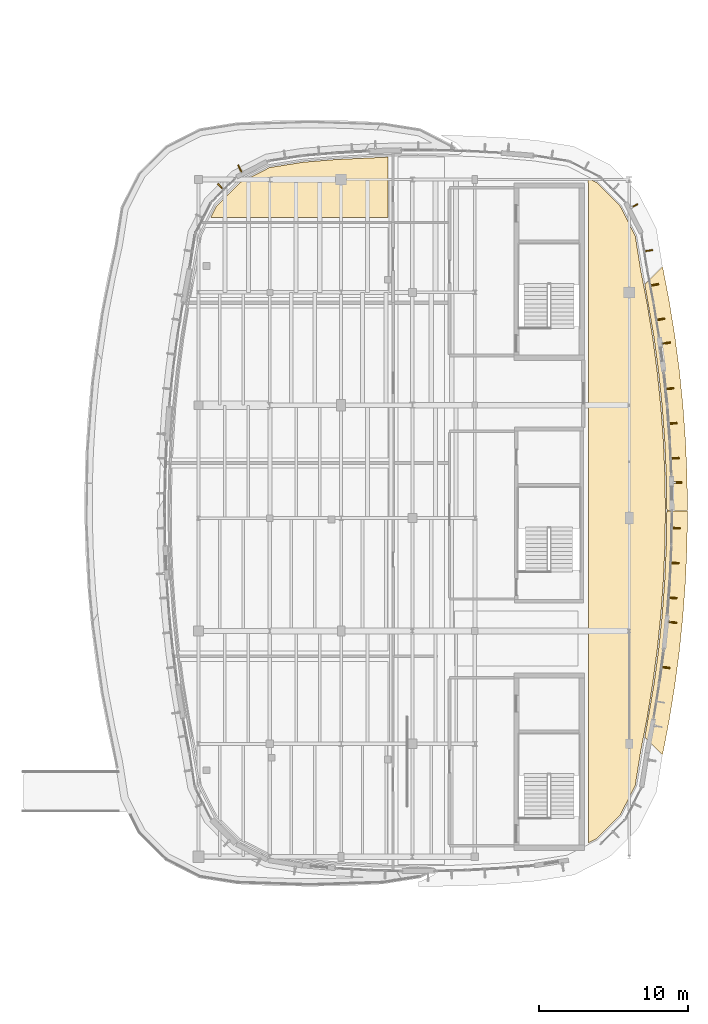
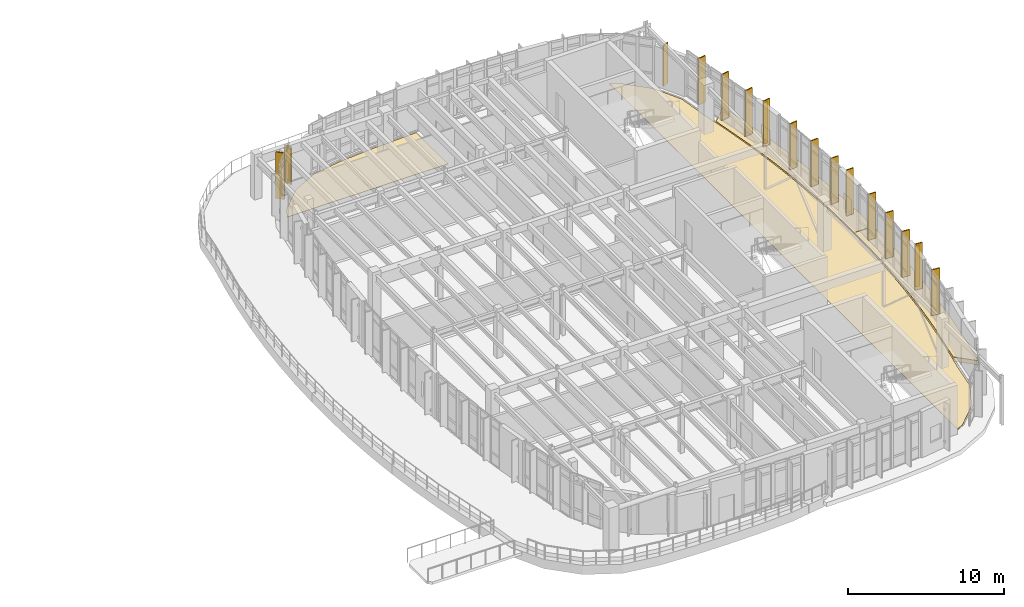
# One storey, part 104 of 105: 20 coverings, 5 shading devices.
"""IFC4 building model written with IfcOpenShell, lengths in metres."""

import ifcopenshell
import ifcopenshell.guid

model = None  # the IFC model being written
_history = None  # IfcOwnerHistory: only IFC2X3 demands one
_inside = {}  # id of a spatial element -> (the spatial element, [elements in it])
_under = {}  # id of a project, library or spatial element -> (it, [spatial elements below it])
_declared = {}  # id of a project -> (the project, [libraries it declares])
_typed = {}  # id of a type object -> (the type object, [elements of that type])
_made_of = {}  # id of a material, layer set ... -> (it, [elements and type objects made of it])


def new_model(schema):
    """Start an empty IFC model of exactly this schema.

    Asked for "IFC4X3", IfcOpenShell would pick the latest addendum, in which some entities
    have other attributes; the version numbers below select the first issue.
    IFC2X3 requires an IfcOwnerHistory on every rooted entity: one is made here for all.
    """
    global model, _history
    if schema == "IFC4X3":
        model = ifcopenshell.file(schema_version=(4, 3, 0, 0))
    else:
        model = ifcopenshell.file(schema=schema)
    _inside.clear()
    _under.clear()
    _declared.clear()
    _typed.clear()
    _made_of.clear()
    _history = None
    if model.schema == "IFC2X3":
        org = make("IfcOrganization", Name="unknown")
        user = make(
            "IfcPersonAndOrganization",
            ThePerson=make("IfcPerson", FamilyName="unknown"),
            TheOrganization=org,
        )
        app = make(
            "IfcApplication",
            ApplicationDeveloper=org,
            Version="unknown",
            ApplicationFullName="unknown",
            ApplicationIdentifier="unknown",
        )
        _history = make(
            "IfcOwnerHistory",
            OwningUser=user,
            OwningApplication=app,
            ChangeAction="ADDED",
            CreationDate=0,
        )
    return model


def make(cls, **values):
    """One entity of the class cls with the attributes given. An attribute that is None is left unset."""
    return model.create_entity(
        cls, **{name: value for name, value in values.items() if value is not None}
    )


def rooted(cls, **values):
    """An entity with a GlobalId (a new one), such as an element, a storey or a relation."""
    return make(cls, GlobalId=ifcopenshell.guid.new(), OwnerHistory=_history, **values)


def si_unit(unit_type, name, prefix=None):
    """IfcSIUnit, for example si_unit("LENGTHUNIT", "METRE", prefix="MILLI")."""
    return make("IfcSIUnit", UnitType=unit_type, Prefix=prefix, Name=name)


def assignment(units):
    """IfcUnitAssignment: the units of a project."""
    return None if units is None else make("IfcUnitAssignment", Units=units)


def point(xyz):
    """IfcCartesianPoint."""
    return None if xyz is None else make("IfcCartesianPoint", Coordinates=xyz)


def direction(xyz):
    """IfcDirection."""
    return None if xyz is None else make("IfcDirection", DirectionRatios=xyz)


def frame(location, z_axis=None, x_axis=None):
    """IfcAxis2Placement3D, a coordinate frame: its origin and axes. An axis left out is left unset."""
    return make(
        "IfcAxis2Placement3D",
        Location=point(location),
        Axis=direction(z_axis),
        RefDirection=direction(x_axis),
    )


def frame_2d(location, x_axis=None):
    """IfcAxis2Placement2D, a coordinate frame in the plane: its origin and x axis."""
    return make(
        "IfcAxis2Placement2D", Location=point(location), RefDirection=direction(x_axis)
    )


def origin():
    """The frame at (0, 0, 0) with its axes left unset."""
    return frame((0.0, 0.0, 0.0))


def origin_2d():
    """The frame at (0, 0) in the plane with its x axis left unset."""
    return frame_2d((0.0, 0.0))


def place(relative_to, where):
    """IfcLocalPlacement: puts the frame where relative to a parent placement (None: the world)."""
    return make(
        "IfcLocalPlacement", PlacementRelTo=relative_to, RelativePlacement=where
    )


def context(
    kind, dimensions, precision=None, world=None, true_north=None, identifier=None
):
    """IfcGeometricRepresentationContext, for example the 3D "Model" context."""
    return make(
        "IfcGeometricRepresentationContext",
        ContextIdentifier=identifier,
        ContextType=kind,
        CoordinateSpaceDimension=dimensions,
        Precision=precision,
        WorldCoordinateSystem=world,
        TrueNorth=true_north,
    )


def subcontext(parent, identifier, kind, view, scale=None):
    """IfcGeometricRepresentationSubContext, for example "Body" below "Model"."""
    return make(
        "IfcGeometricRepresentationSubContext",
        ContextIdentifier=identifier,
        ContextType=kind,
        ParentContext=parent,
        TargetScale=scale,
        TargetView=view,
    )


def project(units=None, contexts=None):
    """IfcProject with its units and contexts."""
    return rooted(
        "IfcProject",
        Name="project",
        RepresentationContexts=contexts,
        UnitsInContext=assignment(units),
    )


def spatial(cls, under=None, at=None, **own):
    """A site, building, storey or space (cls), placed at a placement, below another one or the project."""
    s = rooted(cls, ObjectPlacement=at, **own)
    if under is not None:
        _under.setdefault(under.id(), (under, []))[1].append(s)
    return s


def polyline(points):
    """IfcPolyline through the points."""
    return make("IfcPolyline", Points=[point(p) for p in points])


def profile(cls, at=None, kind="AREA", **sizes):
    """A parametric profile (cls). Its sizes go by their IFC names, for example OverallWidth=200.0."""
    return make(cls, ProfileType=kind, Position=at, **sizes)


def rectangle(**sizes):
    """IfcRectangleProfileDef."""
    return profile("IfcRectangleProfileDef", **sizes)


def outline(outer, holes=None, kind="AREA"):
    """IfcArbitraryClosedProfileDef: a profile drawn as a closed curve; with holes, ...WithVoids."""
    if holes is None:
        return make("IfcArbitraryClosedProfileDef", ProfileType=kind, OuterCurve=outer)
    return make(
        "IfcArbitraryProfileDefWithVoids",
        ProfileType=kind,
        OuterCurve=outer,
        InnerCurves=holes,
    )


def extrude(swept, where, along, depth):
    """IfcExtrudedAreaSolid: the profile swept, set in the frame where, extruded along a direction by depth."""
    return make(
        "IfcExtrudedAreaSolid",
        SweptArea=swept,
        Position=where,
        ExtrudedDirection=direction(along),
        Depth=depth,
    )


def shape(context_of_items, identifier, shape_type, items):
    """IfcShapeRepresentation: the items that make up one representation, for example the "Body"."""
    return make(
        "IfcShapeRepresentation",
        ContextOfItems=context_of_items,
        RepresentationIdentifier=identifier,
        RepresentationType=shape_type,
        Items=items,
    )


def material(Name=None, Category=None):
    """IfcMaterial."""
    return make("IfcMaterial", Name=Name, Category=Category)


def layer(
    of_material, thickness, ventilated=None, Name=None, Category=None, Priority=None
):
    """IfcMaterialLayer: one layer of a wall or slab, of a material (None: an air gap)."""
    return make(
        "IfcMaterialLayer",
        Material=of_material,
        LayerThickness=thickness,
        IsVentilated=ventilated,
        Name=Name,
        Category=Category,
        Priority=Priority,
    )


def layer_set(layers, Name=None):
    """IfcMaterialLayerSet."""
    return make("IfcMaterialLayerSet", MaterialLayers=layers, LayerSetName=Name)


def made_of(thing, what):
    """Note that an element or type object is made of a material, layer set ...; save() writes the relation."""
    if what is not None:
        _made_of.setdefault(what.id(), (what, []))[1].append(thing)
    return thing


def type_object(cls, material=None, **own):
    """A type object (cls), such as IfcWallType, which elements share."""
    return made_of(rooted(cls, **own), material)


def element(
    cls,
    number,
    at=None,
    inside=None,
    cuts=None,
    type_object=None,
    material=None,
    context=None,
    identifier="Body",
    shape_type=None,
    held_by="IfcProductDefinitionShape",
    body=None,
    shapes=None,
    **own,
):
    """One element of the class cls, such as IfcWall. Its Tag is "e" and its number.

    at: its placement. inside: the storey or other place that contains it. cuts: it is an
    opening in that element (IfcRelVoidsElement). A single representation is given by context,
    identifier, shape_type and body (its items); several are given by shapes. held_by: the class
    of the entity that holds the representations. save() writes the other relations.
    """
    e = rooted(cls, Tag="e%d" % number, ObjectPlacement=at, **own)
    if body is not None:
        shapes = [shape(context, identifier, shape_type, body)]
    if shapes is not None:
        e.Representation = make(held_by, Representations=shapes)
    if inside is not None:
        _inside.setdefault(inside.id(), (inside, []))[1].append(e)
    if cuts is not None:
        rooted(
            "IfcRelVoidsElement", RelatingBuildingElement=cuts, RelatedOpeningElement=e
        )
    if type_object is not None:
        _typed.setdefault(type_object.id(), (type_object, []))[1].append(e)
    return made_of(e, material)


def aggregate(whole, parts):
    """IfcRelAggregates: a whole, such as a stair, and the parts it consists of."""
    return rooted("IfcRelAggregates", RelatingObject=whole, RelatedObjects=parts)


def save(model, path):
    """Write the relations noted so far, then the file.

    IfcRelAggregates (storeys below a building ...), IfcRelContainedInSpatialStructure (elements
    in a storey), IfcRelDefinesByType, IfcRelAssociatesMaterial and IfcRelDeclares: one each for
    every whole, place, type object, material and project.
    """
    for whole, parts in _under.values():
        aggregate(whole, parts)
    for where, things in _inside.values():
        rooted(
            "IfcRelContainedInSpatialStructure",
            RelatedElements=things,
            RelatingStructure=where,
        )
    for kind, things in _typed.values():
        rooted("IfcRelDefinesByType", RelatedObjects=things, RelatingType=kind)
    for what, things in _made_of.values():
        rooted("IfcRelAssociatesMaterial", RelatedObjects=things, RelatingMaterial=what)
    for by, libraries in _declared.values():
        rooted("IfcRelDeclares", RelatingContext=by, RelatedDefinitions=libraries)
    model.write(path)


model = new_model("IFC4")

# Units and contexts
model_context = context("Model", 3, precision=1e-05, world=origin(), true_north=direction((0.0, 1.0)))
body_context = subcontext(model_context, "Body", "Model", "MODEL_VIEW")
ifc_project = project(units=[si_unit("LENGTHUNIT", "METRE"), si_unit("AREAUNIT", "SQUARE_METRE"), si_unit("VOLUMEUNIT", "CUBIC_METRE"), si_unit("PLANEANGLEUNIT", "RADIAN"), si_unit("MASSUNIT", "GRAM", prefix="KILO")], contexts=[model_context])

# Site, building, storey
site_placement = place(None, origin())
site = spatial("IfcSite", under=ifc_project, at=site_placement, CompositionType="ELEMENT")
building_placement = place(site_placement, origin())
building = spatial("IfcBuilding", under=site, at=building_placement, Name="Corveleigh Park Community Centre", CompositionType="ELEMENT")
storey_placement = place(building_placement, frame((0.0, 0.0, 8.699951171875)))
storey = spatial("IfcBuildingStorey", under=building, at=storey_placement, Name="L02", CompositionType="ELEMENT", Elevation=8.699951171875)

# Coverings
ifc_material_1 = material(Name="Warm buff ribbed architectural cladding", Category="masonry")
ifc_layer_1 = layer(ifc_material_1, 0.0849609375, Name="Warm buff ribbed architectural cladding", Category="masonry")
ifc_layer_set_1 = layer_set([ifc_layer_1], Name="Warm buff ribbed architectural cladding")
covering_type_1 = type_object("IfcCoveringType", Name="COV-CLD-BUF", PredefinedType="CLADDING", material=ifc_layer_set_1)
covering_1_placement = place(storey_placement, origin())
element("IfcCovering", 1, at=covering_1_placement, inside=storey, type_object=covering_type_1, Name="V4 L02 Brise-soleil blade 381", PredefinedType="CLADDING", context=body_context, shape_type="SweptSolid", body=[
    extrude(outline(polyline([(170.56005859375, 71.424072265625), (170.549072265625, 71.340087890625), (171.1240234375, 71.263916015625), (171.135009765625, 71.347900390625), (170.56005859375, 71.424072265625)])), origin(), (0.0, 0.0, 1.0), 3.64208984375),
])
covering_2_placement = place(storey_placement, origin())
element("IfcCovering", 2, at=covering_2_placement, inside=storey, type_object=covering_type_1, Name="V4 L02 Brise-soleil blade 382", PredefinedType="CLADDING", context=body_context, shape_type="SweptSolid", body=[
    extrude(outline(polyline([(171.06005859375, 74.446044921875), (171.051025390625, 74.361083984375), (171.5830078125, 74.305908203125), (171.592041015625, 74.39111328125), (171.06005859375, 74.446044921875)])), origin(), (0.0, 0.0, 1.0), 3.64208984375),
])
covering_3_placement = place(storey_placement, origin())
element("IfcCovering", 3, at=covering_3_placement, inside=storey, type_object=covering_type_1, Name="V4 L02 Brise-soleil blade 383", PredefinedType="CLADDING", context=body_context, shape_type="SweptSolid", body=[
    extrude(outline(polyline([(171.037109375, 76.0869140625), (171.031005859375, 76.0029296875), (171.60888671875, 75.9599609375), (171.615966796875, 76.044921875), (171.037109375, 76.0869140625)])), origin(), (0.0, 0.0, 1.0), 3.64208984375),
])
covering_4_placement = place(storey_placement, origin())
element("IfcCovering", 4, at=covering_4_placement, inside=storey, type_object=covering_type_1, Name="V4 L02 Brise-soleil blade 384", PredefinedType="CLADDING", context=body_context, shape_type="SweptSolid", body=[
    extrude(outline(polyline([(171.173095703125, 78.427001953125), (171.169921875, 78.342041015625), (171.7490234375, 78.31689453125), (171.7529296875, 78.402099609375), (171.173095703125, 78.427001953125)])), origin(), (0.0, 0.0, 1.0), 3.64208984375),
])
covering_5_placement = place(storey_placement, origin())
element("IfcCovering", 5, at=covering_5_placement, inside=storey, type_object=covering_type_1, Name="V4 L02 Brise-soleil blade 385", PredefinedType="CLADDING", context=body_context, shape_type="SweptSolid", body=[
    extrude(outline(polyline([(171.240966796875, 80.77001953125), (171.239013671875, 80.68505859375), (171.819091796875, 80.677001953125), (171.821044921875, 80.761962890625), (171.240966796875, 80.77001953125)])), origin(), (0.0, 0.0, 1.0), 3.64208984375),
])
covering_6_placement = place(storey_placement, origin())
element("IfcCovering", 6, at=covering_6_placement, inside=storey, type_object=covering_type_1, Name="V4 L02 Brise-soleil blade 386", PredefinedType="CLADDING", context=body_context, shape_type="SweptSolid", body=[
    extrude(outline(polyline([(171.39404296875, 83.8310546875), (171.39501953125, 83.74609375), (171.929931640625, 83.7529296875), (171.928955078125, 83.837890625), (171.39404296875, 83.8310546875)])), origin(), (0.0, 0.0, 1.0), 3.64208984375),
])
covering_7_placement = place(storey_placement, origin())
element("IfcCovering", 7, at=covering_7_placement, inside=storey, type_object=covering_type_1, Name="V4 L02 Brise-soleil blade 387", PredefinedType="CLADDING", context=body_context, shape_type="SweptSolid", body=[
    extrude(outline(polyline([(171.169921875, 85.4580078125), (171.173095703125, 85.373046875), (171.7529296875, 85.39794921875), (171.7490234375, 85.48291015625), (171.169921875, 85.4580078125)])), origin(), (0.0, 0.0, 1.0), 3.64208984375),
])
covering_8_placement = place(storey_placement, origin())
element("IfcCovering", 8, at=covering_8_placement, inside=storey, type_object=covering_type_1, Name="V4 L02 Brise-soleil blade 388", PredefinedType="CLADDING", context=body_context, shape_type="SweptSolid", body=[
    extrude(outline(polyline([(171.031005859375, 87.797119140625), (171.037109375, 87.712890625), (171.615966796875, 87.7548828125), (171.60888671875, 87.840087890625), (171.031005859375, 87.797119140625)])), origin(), (0.0, 0.0, 1.0), 3.64208984375),
])
covering_9_placement = place(storey_placement, origin())
element("IfcCovering", 9, at=covering_9_placement, inside=storey, type_object=covering_type_1, Name="V4 L02 Brise-soleil blade 389", PredefinedType="CLADDING", context=body_context, shape_type="SweptSolid", body=[
    extrude(outline(polyline([(170.823974609375, 90.132080078125), (170.83203125, 90.048095703125), (171.408935546875, 90.10693359375), (171.40087890625, 90.19189453125), (170.823974609375, 90.132080078125)])), origin(), (0.0, 0.0, 1.0), 3.64208984375),
])
covering_10_placement = place(storey_placement, origin())
element("IfcCovering", 10, at=covering_10_placement, inside=storey, type_object=covering_type_1, Name="V4 L02 Brise-soleil blade 390", PredefinedType="CLADDING", context=body_context, shape_type="SweptSolid", body=[
    extrude(outline(polyline([(170.6279296875, 93.18994140625), (170.638916015625, 93.10595703125), (171.169921875, 93.176025390625), (171.158935546875, 93.260986328125), (170.6279296875, 93.18994140625)])), origin(), (0.0, 0.0, 1.0), 3.64208984375),
])
covering_11_placement = place(storey_placement, origin())
element("IfcCovering", 11, at=covering_11_placement, inside=storey, type_object=covering_type_1, Name="V4 L02 Brise-soleil blade 391", PredefinedType="CLADDING", context=body_context, shape_type="SweptSolid", body=[
    extrude(outline(polyline([(170.205078125, 94.779052734375), (170.218994140625, 94.695068359375), (170.7919921875, 94.7880859375), (170.778076171875, 94.8720703125), (170.205078125, 94.779052734375)])), origin(), (0.0, 0.0, 1.0), 3.64208984375),
])
covering_12_placement = place(storey_placement, origin())
element("IfcCovering", 12, at=covering_12_placement, inside=storey, type_object=covering_type_1, Name="V4 L02 Brise-soleil blade 392", PredefinedType="CLADDING", context=body_context, shape_type="SweptSolid", body=[
    extrude(outline(polyline([(169.7939453125, 97.0859375), (169.81005859375, 97.0029296875), (170.3798828125, 97.113037109375), (170.364013671875, 97.196044921875), (169.7939453125, 97.0859375)])), origin(), (0.0, 0.0, 1.0), 3.64208984375),
])
covering_13_placement = place(storey_placement, origin())
element("IfcCovering", 13, at=covering_13_placement, inside=storey, type_object=covering_type_1, Name="V4 L02 Brise-soleil blade 393", PredefinedType="CLADDING", context=body_context, shape_type="SweptSolid", body=[
    extrude(outline(polyline([(169.389892578125, 99.39892578125), (169.403076171875, 99.31494140625), (169.97607421875, 99.406005859375), (169.962890625, 99.489990234375), (169.389892578125, 99.39892578125)])), origin(), (0.0, 0.0, 1.0), 3.64208984375),
])
covering_14_placement = place(storey_placement, origin())
element("IfcCovering", 14, at=covering_14_placement, inside=storey, type_object=covering_type_1, Name="V4 L02 Brise-soleil blade 394", PredefinedType="CLADDING", context=body_context, shape_type="SweptSolid", body=[
    extrude(outline(polyline([(168.470947265625, 102.3310546875), (168.510009765625, 102.256103515625), (168.987060546875, 102.4990234375), (168.947998046875, 102.573974609375), (168.470947265625, 102.3310546875)])), origin(), (0.0, 0.0, 1.0), 3.1669921875),
])
covering_15_placement = place(storey_placement, origin())
element("IfcCovering", 15, at=covering_15_placement, inside=storey, type_object=covering_type_1, Name="V4 L02 Brise-soleil blade 406", PredefinedType="CLADDING", context=body_context, shape_type="SweptSolid", body=[
    extrude(outline(polyline([(142.26904296875, 104.6708984375), (142.343994140625, 104.7099609375), (142.10107421875, 105.18701171875), (142.02587890625, 105.14794921875), (142.26904296875, 104.6708984375)])), origin(), (0.0, 0.0, 1.0), 2.945068359375),
])
covering_16_placement = place(storey_placement, origin())
element("IfcCovering", 16, at=covering_16_placement, inside=storey, type_object=covering_type_1, Name="V4 L02 Brise-soleil blade 407", PredefinedType="CLADDING", context=body_context, shape_type="SweptSolid", body=[
    extrude(outline(polyline([(141.075927734375, 103.464111328125), (141.135986328125, 103.52392578125), (140.72607421875, 103.93408203125), (140.666015625, 103.8740234375), (141.075927734375, 103.464111328125)])), origin(), (0.0, 0.0, 1.0), 3.636962890625),
])
ifc_material_2 = material(Name="White architectural fascia cladding", Category="masonry")
ifc_layer_2 = layer(ifc_material_2, 0.074951171875, Name="White architectural fascia cladding", Category="masonry")
ifc_layer_set_2 = layer_set([ifc_layer_2], Name="White architectural fascia cladding")
covering_type_2 = type_object("IfcCoveringType", Name="COV-CLD-WHT", PredefinedType="CLADDING", material=ifc_layer_set_2)
covering_17_placement = place(storey_placement, frame((0.0, 0.0, -0.300048828125)))
element("IfcCovering", 17, at=covering_17_placement, inside=storey, type_object=covering_type_2, Name="V4 L02 Horizontal Sun-Hood 1", PredefinedType="CLADDING", context=body_context, shape_type="SweptSolid", body=[
    extrude(outline(polyline([(171.074951171875, 96.095947265625), (171.4609375, 93.720947265625), (171.76904296875, 91.39599609375), (172.011962890625, 89.032958984375), (172.18896484375, 86.633056640625), (172.29296875, 84.260009765625), (172.326904296875, 81.908935546875), (170.927001953125, 81.907958984375), (170.89306640625, 84.235107421875), (170.791015625, 86.56591796875), (170.618896484375, 88.89501953125), (170.3798828125, 91.217041015625), (170.073974609375, 93.531982421875), (169.448974609375, 97.134033203125), (170.64501953125, 98.327880859375), (171.074951171875, 96.095947265625)])), origin(), (0.0, 0.0, 1.0), 0.340087890625),
])
covering_18_placement = place(storey_placement, frame((0.0, 0.0, -0.300048828125)))
element("IfcCovering", 18, at=covering_18_placement, inside=storey, type_object=covering_type_2, Name="V4 L02 Horizontal Sun-Hood 8", PredefinedType="CLADDING", context=body_context, shape_type="SweptSolid", body=[
    extrude(outline(polyline([(172.326904296875, 81.885009765625), (172.29296875, 79.5400390625), (172.18896484375, 77.1669921875), (172.011962890625, 74.76708984375), (171.76904296875, 72.404052734375), (171.4609375, 70.0791015625), (171.080078125, 67.735107421875), (170.64501953125, 65.471923828125), (169.448974609375, 66.666015625), (170.073974609375, 70.26806640625), (170.3798828125, 72.5830078125), (170.618896484375, 74.905029296875), (170.791015625, 77.23388671875), (170.89306640625, 79.56494140625), (170.927001953125, 81.89208984375), (172.326904296875, 81.885009765625)])), origin(), (0.0, 0.0, 1.0), 0.340087890625),
])
ifc_material_3 = material(Name="Acoustic linoleum flooring", Category="wood")
ifc_layer_3 = layer(ifc_material_3, 0.02490234375, Name="Acoustic linoleum flooring", Category="wood")
ifc_layer_set_3 = layer_set([ifc_layer_3], Name="Acoustic linoleum flooring")
covering_type_3 = type_object("IfcCoveringType", Name="COV-FLR-LIN", PredefinedType="FLOORING", material=ifc_layer_set_3)
covering_19_placement = place(storey_placement, origin())
element("IfcCovering", 19, at=covering_19_placement, inside=storey, type_object=covering_type_3, Name="Accessible and Public Toilets L02 flooring", PredefinedType="FLOORING", context=body_context, shape_type="SweptSolid", body=[
    extrude(outline(polyline([(146.452880859375, 105.363037109375), (148.654052734375, 105.544921875), (152.159912109375, 105.702880859375), (152.159912109375, 101.639892578125), (140.221923828125, 101.639892578125), (140.611083984375, 102.405029296875), (142.195068359375, 103.989013671875), (144.18896484375, 105.00390625), (146.452880859375, 105.363037109375)])), origin(), (0.0, 0.0, 1.0), 0.025146484375),
])
covering_20_placement = place(storey_placement, origin())
element("IfcCovering", 20, at=covering_20_placement, inside=storey, type_object=covering_type_3, Name="Parkside Periodicals Reading Hall flooring", PredefinedType="FLOORING", context=body_context, shape_type="SweptSolid", body=[
    extrude(outline(polyline([(165.659912109375, 59.533935546875), (165.639892578125, 104.277099609375), (166.205078125, 103.989013671875), (167.7890625, 102.405029296875), (168.803955078125, 100.410888671875), (169.166015625, 98.126953125), (169.611083984375, 95.820068359375), (169.985107421875, 93.51904296875), (170.291015625, 91.20703125), (170.530029296875, 88.886962890625), (170.700927734375, 86.56103515625), (170.802978515625, 84.23193359375), (170.8369140625, 81.89990234375), (170.802978515625, 79.568115234375), (170.700927734375, 77.239013671875), (170.530029296875, 74.9130859375), (170.291015625, 72.593017578125), (169.985107421875, 70.281005859375), (169.611083984375, 67.97998046875), (169.166015625, 65.673095703125), (168.803955078125, 63.388916015625), (167.7890625, 61.39501953125), (166.205078125, 59.81103515625), (165.659912109375, 59.533935546875)])), origin(), (0.0, 0.0, 1.0), 0.025146484375),
])

# Shading devices
ifc_material_4 = material(Name="Terracotta-anodised aluminium fin", Category="masonry")
shading_device_type_1 = type_object("IfcShadingDeviceType", Name="SHD-FIN-TER-350", PredefinedType="USERDEFINED", material=ifc_material_4)
for number, where, z_axis, x_axis, name in (
    (21, (171.243896484375, 74.384033203125, 0.25), (0.0, 0.0, 1.0), (0.994752310371, -0.102312467526, 0.0), "Terracotta brise-soleil fin 77"),
    (22, (170.822021484375, 93.173095703125, 0.25), (0.0, 0.0, 1.0), (0.991317738614, 0.131488178592, 0.0), "Terracotta brise-soleil fin 79"),
):
    element("IfcShadingDevice", number, at=place(storey_placement, frame(where, z_axis=z_axis, x_axis=x_axis)), inside=storey, type_object=shading_device_type_1, Name=name, ObjectType="FIN", PredefinedType="USERDEFINED", context=body_context, shape_type="SweptSolid", body=[
        extrude(rectangle(XDim=0.35009765625, YDim=0.06005859375, at=origin_2d()), origin(), (0.0, 0.0, 1.0), 3.241943359375),
    ])
shading_device_1_placement = place(storey_placement, frame((142.219970703125, 104.860107421875, 0.25), z_axis=(0.0, 0.0, 1.0), x_axis=(-0.454153628935, 0.8909233869, 0.0)))
element("IfcShadingDevice", 23, at=shading_device_1_placement, inside=storey, type_object=shading_device_type_1, Name="Terracotta brise-soleil fin 83", ObjectType="FIN", PredefinedType="USERDEFINED", context=body_context, shape_type="SweptSolid", body=[
    extrude(rectangle(XDim=0.35009765625, YDim=0.06005859375, at=origin_2d()), origin(), (0.0, 0.0, 1.0), 2.544921875),
])
shading_device_type_2 = type_object("IfcShadingDeviceType", Name="SHD-FIN-TER-450", PredefinedType="USERDEFINED", material=ifc_material_4)
shading_device_2_placement = place(storey_placement, frame((171.5849609375, 83.791015625, 0.25), z_axis=(0.0, 0.0, 1.0), x_axis=(0.999893275153, 0.014609527863, 0.0)))
element("IfcShadingDevice", 24, at=shading_device_2_placement, inside=storey, type_object=shading_device_type_2, Name="Terracotta brise-soleil fin 78", ObjectType="FIN", PredefinedType="USERDEFINED", context=body_context, shape_type="SweptSolid", body=[
    extrude(rectangle(XDim=0.449951171875, YDim=0.06494140625, at=origin_2d()), origin(), (0.0, 0.0, 1.0), 3.241943359375),
])
shading_device_3_placement = place(storey_placement, frame((168.659912109375, 102.3798828125, 0.25), z_axis=(0.0, 0.0, 1.0), x_axis=(0.8909233869, 0.454153628935, 0.0)))
element("IfcShadingDevice", 25, at=shading_device_3_placement, inside=storey, type_object=shading_device_type_2, Name="Terracotta brise-soleil fin 80", ObjectType="FIN", PredefinedType="USERDEFINED", context=body_context, shape_type="SweptSolid", body=[
    extrude(rectangle(XDim=0.449951171875, YDim=0.06494140625, at=origin_2d()), origin(), (0.0, 0.0, 1.0), 2.76708984375),
])

save(model, "model.ifc")
